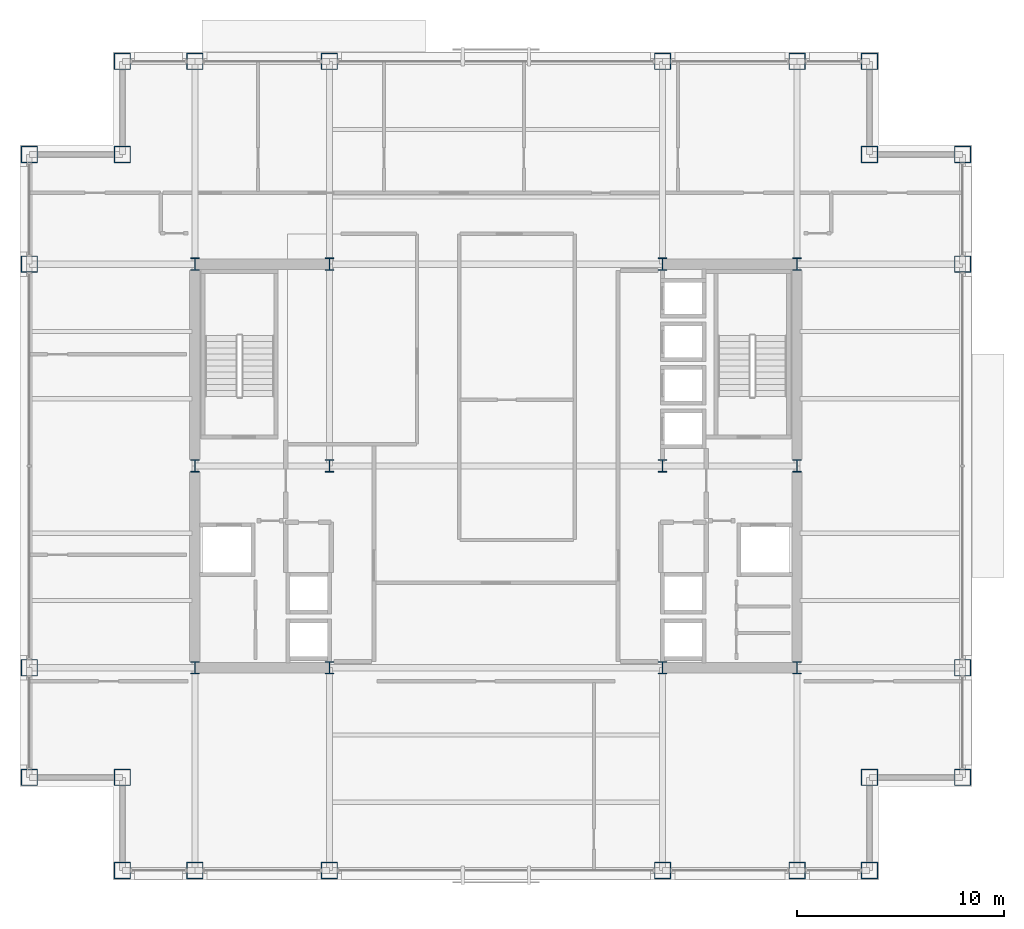
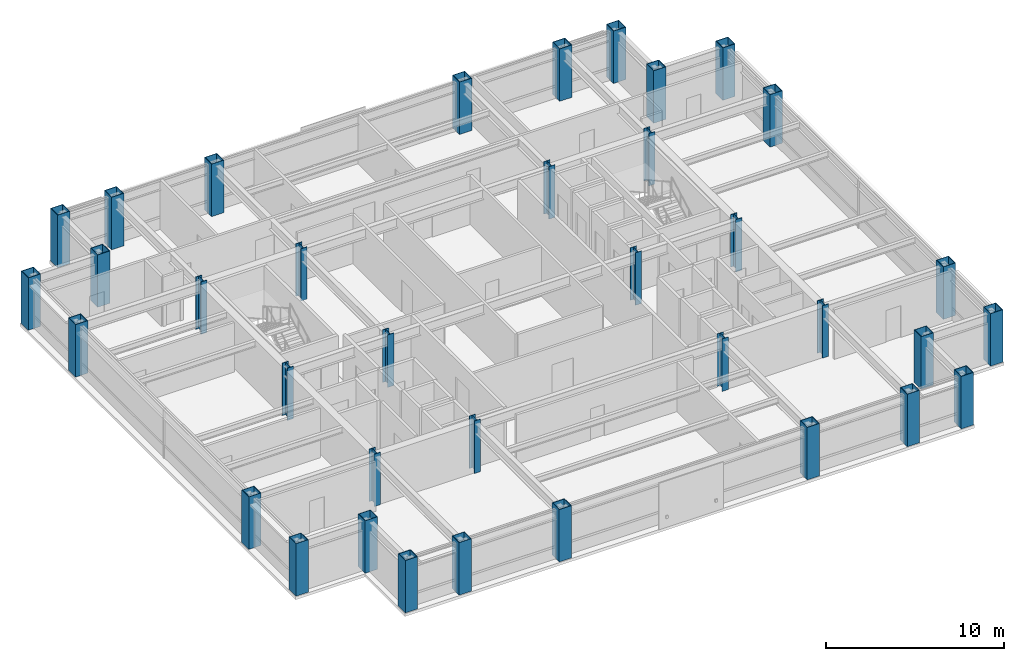
# One storey, part 1 of 28: 36 columns.
"""IFC4 building model written with IfcOpenShell, lengths in metres."""

from ifc_helpers import new_model, si_unit, direction, frame, origin, origin_2d, place, context, subcontext, project, spatial, hollow_rectangle, i_section, extrude, material, material_profile, profile_set, type_object, element, save


model = new_model("IFC4")

# Units and contexts
model_context = context("Model", 3, precision=1e-05, world=origin(), true_north=direction((0.0, 1.0)))
body_context = subcontext(model_context, "Body", "Model", "MODEL_VIEW")
ifc_project = project(units=[si_unit("LENGTHUNIT", "METRE"), si_unit("AREAUNIT", "SQUARE_METRE"), si_unit("VOLUMEUNIT", "CUBIC_METRE"), si_unit("PLANEANGLEUNIT", "RADIAN"), si_unit("MASSUNIT", "GRAM", prefix="KILO")], contexts=[model_context])

# Site, building, storey
site_placement = place(None, origin())
site = spatial("IfcSite", under=ifc_project, at=site_placement, CompositionType="ELEMENT")
building_placement = place(site_placement, origin())
building = spatial("IfcBuilding", under=site, at=building_placement, Name="Brelmoor Portico Tower", CompositionType="ELEMENT")
storey_placement = place(building_placement, frame((0.0, 0.0, 142.199951171875)))
storey = spatial("IfcBuildingStorey", under=building, at=storey_placement, Name="L37", CompositionType="ELEMENT", Elevation=142.199951171875)

# Columns
ifc_material = material(Name="Steel Q355B", Category="steel")
ifc_material_profile_1 = material_profile(ifc_material, hollow_rectangle(XDim=0.800048828125, YDim=0.800048828125, WallThickness=0.035888671875, at=origin_2d()), Name="BOX 800x800x36")
ifc_profile_set_1 = profile_set([ifc_material_profile_1], Name="Steel Q355B")
column_type_1 = type_object("IfcColumnType", Name="COL-MEGA-800", PredefinedType="COLUMN", material=ifc_profile_set_1)
for number, where, z_axis, x_axis, name in (
    (1, (-18.050048828125, -19.550048828125, 0.0), (0.0, 0.0, 1.0), (1.0, 0.0, 0.0), "L37 Perimeter Mega-Column PS01"),
    (2, (-14.550048828125, -19.550048828125, 0.0), (0.0, 0.0, 1.0), (1.0, 0.0, 0.0), "L37 Perimeter Mega-Column PS02"),
    (3, (-8.050048828125, -19.550048828125, 0.0), (0.0, 0.0, 1.0), (1.0, 0.0, 0.0), "L37 Perimeter Mega-Column PS03"),
    (4, (8.050048828125, -19.550048828125, 0.0), (0.0, 0.0, 1.0), (1.0, 0.0, 0.0), "L37 Perimeter Mega-Column PS04"),
    (5, (14.550048828125, -19.550048828125, 0.0), (0.0, 0.0, 1.0), (1.0, 0.0, 0.0), "L37 Perimeter Mega-Column PS05"),
    (6, (18.050048828125, -19.550048828125, 0.0), (0.0, 0.0, 1.0), (1.0, 0.0, 0.0), "L37 Perimeter Mega-Column PS06"),
    (7, (-18.050048828125, 19.550048828125, 0.0), (0.0, 0.0, 1.0), (1.0, 0.0, 0.0), "L37 Perimeter Mega-Column PN01"),
    (8, (-14.550048828125, 19.550048828125, 0.0), (0.0, 0.0, 1.0), (1.0, 0.0, 0.0), "L37 Perimeter Mega-Column PN02"),
    (9, (-8.050048828125, 19.550048828125, 0.0), (0.0, 0.0, 1.0), (1.0, 0.0, 0.0), "L37 Perimeter Mega-Column PN03"),
    (10, (8.050048828125, 19.550048828125, 0.0), (0.0, 0.0, 1.0), (1.0, 0.0, 0.0), "L37 Perimeter Mega-Column PN04"),
    (11, (14.550048828125, 19.550048828125, 0.0), (0.0, 0.0, 1.0), (1.0, 0.0, 0.0), "L37 Perimeter Mega-Column PN05"),
    (12, (18.050048828125, 19.550048828125, 0.0), (0.0, 0.0, 1.0), (1.0, 0.0, 0.0), "L37 Perimeter Mega-Column PN06"),
    (13, (-22.550048828125, -15.050048828125, 0.0), (0.0, 0.0, 1.0), (0.0, 1.0, 0.0), "L37 Perimeter Mega-Column PW01"),
    (14, (-22.550048828125, -9.75, 0.0), (0.0, 0.0, 1.0), (0.0, 1.0, 0.0), "L37 Perimeter Mega-Column PW02"),
    (15, (-22.550048828125, 9.75, 0.0), (0.0, 0.0, 1.0), (0.0, 1.0, 0.0), "L37 Perimeter Mega-Column PW03"),
    (16, (-22.550048828125, 15.050048828125, 0.0), (0.0, 0.0, 1.0), (0.0, 1.0, 0.0), "L37 Perimeter Mega-Column PW04"),
    (17, (22.550048828125, -15.050048828125, 0.0), (0.0, 0.0, 1.0), (0.0, 1.0, 0.0), "L37 Perimeter Mega-Column PE01"),
    (18, (22.550048828125, -9.75, 0.0), (0.0, 0.0, 1.0), (0.0, 1.0, 0.0), "L37 Perimeter Mega-Column PE02"),
    (19, (22.550048828125, 9.75, 0.0), (0.0, 0.0, 1.0), (0.0, 1.0, 0.0), "L37 Perimeter Mega-Column PE03"),
    (20, (22.550048828125, 15.050048828125, 0.0), (0.0, 0.0, 1.0), (0.0, 1.0, 0.0), "L37 Perimeter Mega-Column PE04"),
    (21, (-18.050048828125, 15.050048828125, 0.0), (0.0, 0.0, 1.0), (1.0, 0.0, 0.0), "L37 Perimeter Mega-Column PC-NW"),
    (22, (18.050048828125, 15.050048828125, 0.0), (0.0, 0.0, 1.0), (1.0, 0.0, 0.0), "L37 Perimeter Mega-Column PC-NE"),
    (23, (18.050048828125, -15.050048828125, 0.0), (0.0, 0.0, 1.0), (1.0, 0.0, 0.0), "L37 Perimeter Mega-Column PC-SE"),
    (24, (-18.050048828125, -15.050048828125, 0.0), (0.0, 0.0, 1.0), (1.0, 0.0, 0.0), "L37 Perimeter Mega-Column PC-SW"),
):
    element("IfcColumn", number, at=place(storey_placement, frame(where, z_axis=z_axis, x_axis=x_axis)), inside=storey, type_object=column_type_1, Name=name, PredefinedType="COLUMN", context=body_context, shape_type="SweptSolid", body=[
        extrude(hollow_rectangle(XDim=0.800048828125, YDim=0.800048828125, WallThickness=0.035888671875, at=origin_2d()), origin(), (0.0, 0.0, 1.0), 3.60009765625),
    ])
ifc_material_profile_2 = material_profile(ifc_material, i_section(OverallWidth=0.39990234375, OverallDepth=0.60009765625, WebThickness=0.02197265625, FlangeThickness=0.035888671875, at=origin_2d()), Name="HW 600x400x22x36")
ifc_profile_set_2 = profile_set([ifc_material_profile_2], Name="Steel Q355B")
column_type_2 = type_object("IfcColumnType", Name="COL-SPINE-600", PredefinedType="COLUMN", material=ifc_profile_set_2)
for number, where, z_axis, x_axis, name in (
    (25, (-14.550048828125, -9.75, 0.0), (0.0, 0.0, 1.0), (1.0, 0.0, 0.0), "L37 Core Spine Column CW-SW"),
    (26, (-14.550048828125, 0.0, 0.0), (0.0, 0.0, 1.0), (1.0, 0.0, 0.0), "L37 Core Spine Column CW-MW"),
    (27, (-14.550048828125, 9.75, 0.0), (0.0, 0.0, 1.0), (1.0, 0.0, 0.0), "L37 Core Spine Column CW-NW"),
    (28, (-8.050048828125, -9.75, 0.0), (0.0, 0.0, 1.0), (1.0, 0.0, 0.0), "L37 Core Spine Column CW-SE"),
    (29, (-8.050048828125, 0.0, 0.0), (0.0, 0.0, 1.0), (1.0, 0.0, 0.0), "L37 Core Spine Column CW-ME"),
    (30, (-8.050048828125, 9.75, 0.0), (0.0, 0.0, 1.0), (1.0, 0.0, 0.0), "L37 Core Spine Column CW-NE"),
    (31, (8.050048828125, -9.75, 0.0), (0.0, 0.0, 1.0), (1.0, 0.0, 0.0), "L37 Core Spine Column CE-SW"),
    (32, (8.050048828125, 0.0, 0.0), (0.0, 0.0, 1.0), (1.0, 0.0, 0.0), "L37 Core Spine Column CE-MW"),
    (33, (8.050048828125, 9.75, 0.0), (0.0, 0.0, 1.0), (1.0, 0.0, 0.0), "L37 Core Spine Column CE-NW"),
    (34, (14.550048828125, -9.75, 0.0), (0.0, 0.0, 1.0), (1.0, 0.0, 0.0), "L37 Core Spine Column CE-SE"),
    (35, (14.550048828125, 0.0, 0.0), (0.0, 0.0, 1.0), (1.0, 0.0, 0.0), "L37 Core Spine Column CE-ME"),
    (36, (14.550048828125, 9.75, 0.0), (0.0, 0.0, 1.0), (1.0, 0.0, 0.0), "L37 Core Spine Column CE-NE"),
):
    element("IfcColumn", number, at=place(storey_placement, frame(where, z_axis=z_axis, x_axis=x_axis)), inside=storey, type_object=column_type_2, Name=name, PredefinedType="COLUMN", context=body_context, shape_type="SweptSolid", body=[
        extrude(i_section(OverallWidth=0.39990234375, OverallDepth=0.60009765625, WebThickness=0.02197265625, FlangeThickness=0.035888671875, at=origin_2d()), origin(), (0.0, 0.0, 1.0), 3.60009765625),
    ])

save(model, "model.ifc")
